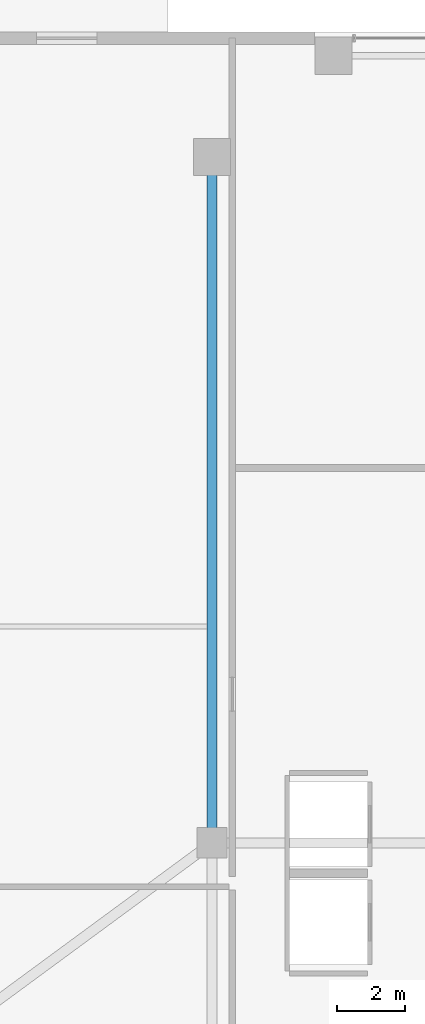
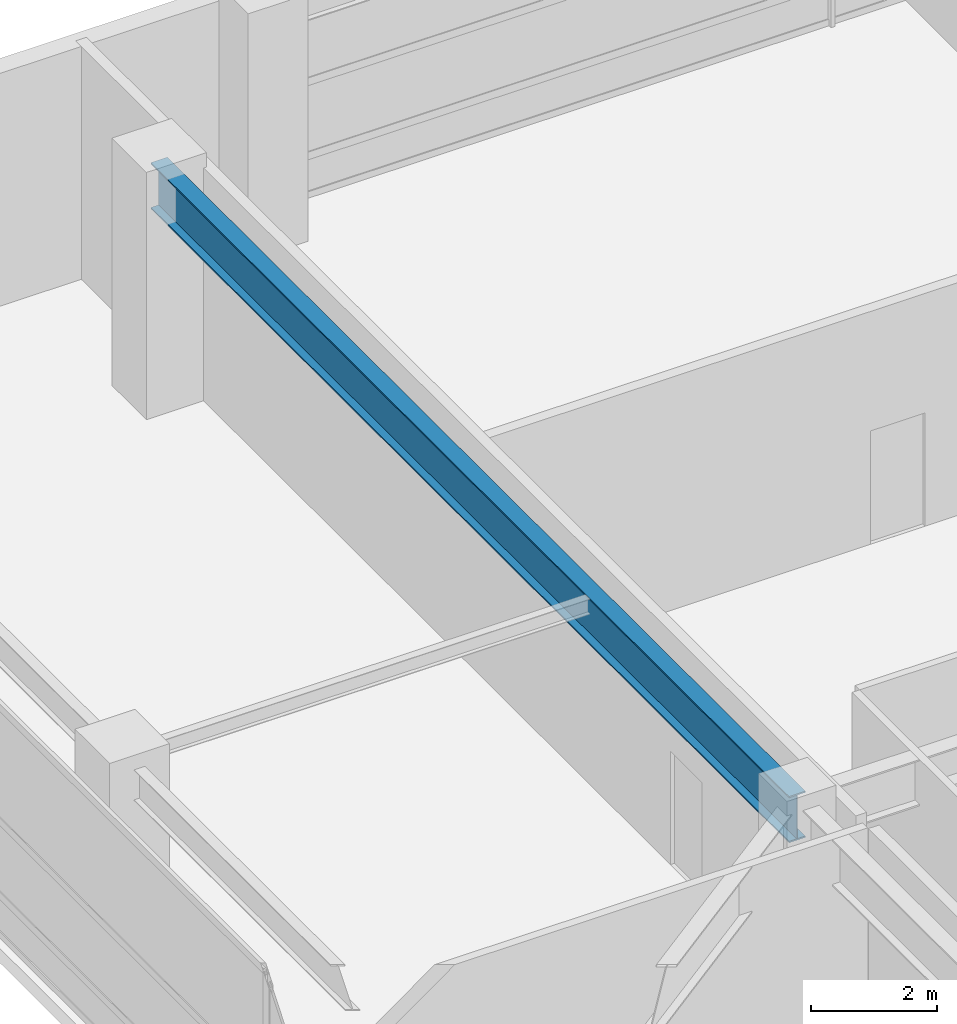
# One storey, part 16 of 37: 1 beam.
"""IFC4 building model written with IfcOpenShell, lengths in metres."""

import ifcopenshell
import ifcopenshell.guid

model = None  # the IFC model being written
_history = None  # IfcOwnerHistory: only IFC2X3 demands one
_inside = {}  # id of a spatial element -> (the spatial element, [elements in it])
_under = {}  # id of a project, library or spatial element -> (it, [spatial elements below it])
_declared = {}  # id of a project -> (the project, [libraries it declares])
_typed = {}  # id of a type object -> (the type object, [elements of that type])
_made_of = {}  # id of a material, layer set ... -> (it, [elements and type objects made of it])


def new_model(schema):
    """Start an empty IFC model of exactly this schema.

    Asked for "IFC4X3", IfcOpenShell would pick the latest addendum, in which some entities
    have other attributes; the version numbers below select the first issue.
    IFC2X3 requires an IfcOwnerHistory on every rooted entity: one is made here for all.
    """
    global model, _history
    if schema == "IFC4X3":
        model = ifcopenshell.file(schema_version=(4, 3, 0, 0))
    else:
        model = ifcopenshell.file(schema=schema)
    _inside.clear()
    _under.clear()
    _declared.clear()
    _typed.clear()
    _made_of.clear()
    _history = None
    if model.schema == "IFC2X3":
        org = make("IfcOrganization", Name="unknown")
        user = make(
            "IfcPersonAndOrganization",
            ThePerson=make("IfcPerson", FamilyName="unknown"),
            TheOrganization=org,
        )
        app = make(
            "IfcApplication",
            ApplicationDeveloper=org,
            Version="unknown",
            ApplicationFullName="unknown",
            ApplicationIdentifier="unknown",
        )
        _history = make(
            "IfcOwnerHistory",
            OwningUser=user,
            OwningApplication=app,
            ChangeAction="ADDED",
            CreationDate=0,
        )
    return model


def make(cls, **values):
    """One entity of the class cls with the attributes given. An attribute that is None is left unset."""
    return model.create_entity(
        cls, **{name: value for name, value in values.items() if value is not None}
    )


def rooted(cls, **values):
    """An entity with a GlobalId (a new one), such as an element, a storey or a relation."""
    return make(cls, GlobalId=ifcopenshell.guid.new(), OwnerHistory=_history, **values)


def si_unit(unit_type, name, prefix=None):
    """IfcSIUnit, for example si_unit("LENGTHUNIT", "METRE", prefix="MILLI")."""
    return make("IfcSIUnit", UnitType=unit_type, Prefix=prefix, Name=name)


def assignment(units):
    """IfcUnitAssignment: the units of a project."""
    return None if units is None else make("IfcUnitAssignment", Units=units)


def point(xyz):
    """IfcCartesianPoint."""
    return None if xyz is None else make("IfcCartesianPoint", Coordinates=xyz)


def direction(xyz):
    """IfcDirection."""
    return None if xyz is None else make("IfcDirection", DirectionRatios=xyz)


def frame(location, z_axis=None, x_axis=None):
    """IfcAxis2Placement3D, a coordinate frame: its origin and axes. An axis left out is left unset."""
    return make(
        "IfcAxis2Placement3D",
        Location=point(location),
        Axis=direction(z_axis),
        RefDirection=direction(x_axis),
    )


def frame_2d(location, x_axis=None):
    """IfcAxis2Placement2D, a coordinate frame in the plane: its origin and x axis."""
    return make(
        "IfcAxis2Placement2D", Location=point(location), RefDirection=direction(x_axis)
    )


def origin():
    """The frame at (0, 0, 0) with its axes left unset."""
    return frame((0.0, 0.0, 0.0))


def origin_2d():
    """The frame at (0, 0) in the plane with its x axis left unset."""
    return frame_2d((0.0, 0.0))


def place(relative_to, where):
    """IfcLocalPlacement: puts the frame where relative to a parent placement (None: the world)."""
    return make(
        "IfcLocalPlacement", PlacementRelTo=relative_to, RelativePlacement=where
    )


def context(
    kind, dimensions, precision=None, world=None, true_north=None, identifier=None
):
    """IfcGeometricRepresentationContext, for example the 3D "Model" context."""
    return make(
        "IfcGeometricRepresentationContext",
        ContextIdentifier=identifier,
        ContextType=kind,
        CoordinateSpaceDimension=dimensions,
        Precision=precision,
        WorldCoordinateSystem=world,
        TrueNorth=true_north,
    )


def subcontext(parent, identifier, kind, view, scale=None):
    """IfcGeometricRepresentationSubContext, for example "Body" below "Model"."""
    return make(
        "IfcGeometricRepresentationSubContext",
        ContextIdentifier=identifier,
        ContextType=kind,
        ParentContext=parent,
        TargetScale=scale,
        TargetView=view,
    )


def project(units=None, contexts=None):
    """IfcProject with its units and contexts."""
    return rooted(
        "IfcProject",
        Name="project",
        RepresentationContexts=contexts,
        UnitsInContext=assignment(units),
    )


def spatial(cls, under=None, at=None, **own):
    """A site, building, storey or space (cls), placed at a placement, below another one or the project."""
    s = rooted(cls, ObjectPlacement=at, **own)
    if under is not None:
        _under.setdefault(under.id(), (under, []))[1].append(s)
    return s


def profile(cls, at=None, kind="AREA", **sizes):
    """A parametric profile (cls). Its sizes go by their IFC names, for example OverallWidth=200.0."""
    return make(cls, ProfileType=kind, Position=at, **sizes)


def i_section(**sizes):
    """IfcIShapeProfileDef."""
    return profile("IfcIShapeProfileDef", **sizes)


def extrude(swept, where, along, depth):
    """IfcExtrudedAreaSolid: the profile swept, set in the frame where, extruded along a direction by depth."""
    return make(
        "IfcExtrudedAreaSolid",
        SweptArea=swept,
        Position=where,
        ExtrudedDirection=direction(along),
        Depth=depth,
    )


def shape(context_of_items, identifier, shape_type, items):
    """IfcShapeRepresentation: the items that make up one representation, for example the "Body"."""
    return make(
        "IfcShapeRepresentation",
        ContextOfItems=context_of_items,
        RepresentationIdentifier=identifier,
        RepresentationType=shape_type,
        Items=items,
    )


def source(mapping_origin, context_of_items, identifier, shape_type, items):
    """IfcRepresentationMap: a shape defined once, which mapped items show again and again."""
    return make(
        "IfcRepresentationMap",
        MappingOrigin=mapping_origin,
        MappedRepresentation=shape(context_of_items, identifier, shape_type, items),
    )


def transform(
    local_origin,
    x_axis=None,
    y_axis=None,
    z_axis=None,
    scale=None,
    scale2=None,
    scale3=None,
    uniform=True,
):
    """IfcCartesianTransformationOperator3D, or its non-uniform kind. x_axis, y_axis, z_axis: its Axis1, 2, 3."""
    if uniform:
        return make(
            "IfcCartesianTransformationOperator3D",
            Axis1=direction(x_axis),
            Axis2=direction(y_axis),
            LocalOrigin=point(local_origin),
            Scale=scale,
            Axis3=direction(z_axis),
        )
    return make(
        "IfcCartesianTransformationOperator3DnonUniform",
        Axis1=direction(x_axis),
        Axis2=direction(y_axis),
        LocalOrigin=point(local_origin),
        Scale=scale,
        Axis3=direction(z_axis),
        Scale2=scale2,
        Scale3=scale3,
    )


def mapped(mapping_source, mapping_target):
    """IfcMappedItem: shows the shape of a source again, moved by a transform."""
    return make(
        "IfcMappedItem", MappingSource=mapping_source, MappingTarget=mapping_target
    )


def material(Name=None, Category=None):
    """IfcMaterial."""
    return make("IfcMaterial", Name=Name, Category=Category)


def material_profile(
    of_material, cross_section, Name=None, Category=None, Priority=None
):
    """IfcMaterialProfile: a cross section and its material."""
    return make(
        "IfcMaterialProfile",
        Name=Name,
        Material=of_material,
        Profile=cross_section,
        Priority=Priority,
        Category=Category,
    )


def profile_set(profiles, Name=None, composite=None):
    """IfcMaterialProfileSet."""
    return make(
        "IfcMaterialProfileSet",
        Name=Name,
        MaterialProfiles=profiles,
        CompositeProfile=composite,
    )


def made_of(thing, what):
    """Note that an element or type object is made of a material, layer set ...; save() writes the relation."""
    if what is not None:
        _made_of.setdefault(what.id(), (what, []))[1].append(thing)
    return thing


def type_object(cls, material=None, **own):
    """A type object (cls), such as IfcWallType, which elements share."""
    return made_of(rooted(cls, **own), material)


def element(
    cls,
    number,
    at=None,
    inside=None,
    cuts=None,
    type_object=None,
    material=None,
    context=None,
    identifier="Body",
    shape_type=None,
    held_by="IfcProductDefinitionShape",
    body=None,
    shapes=None,
    **own,
):
    """One element of the class cls, such as IfcWall. Its Tag is "e" and its number.

    at: its placement. inside: the storey or other place that contains it. cuts: it is an
    opening in that element (IfcRelVoidsElement). A single representation is given by context,
    identifier, shape_type and body (its items); several are given by shapes. held_by: the class
    of the entity that holds the representations. save() writes the other relations.
    """
    e = rooted(cls, Tag="e%d" % number, ObjectPlacement=at, **own)
    if body is not None:
        shapes = [shape(context, identifier, shape_type, body)]
    if shapes is not None:
        e.Representation = make(held_by, Representations=shapes)
    if inside is not None:
        _inside.setdefault(inside.id(), (inside, []))[1].append(e)
    if cuts is not None:
        rooted(
            "IfcRelVoidsElement", RelatingBuildingElement=cuts, RelatedOpeningElement=e
        )
    if type_object is not None:
        _typed.setdefault(type_object.id(), (type_object, []))[1].append(e)
    return made_of(e, material)


def aggregate(whole, parts):
    """IfcRelAggregates: a whole, such as a stair, and the parts it consists of."""
    return rooted("IfcRelAggregates", RelatingObject=whole, RelatedObjects=parts)


def save(model, path):
    """Write the relations noted so far, then the file.

    IfcRelAggregates (storeys below a building ...), IfcRelContainedInSpatialStructure (elements
    in a storey), IfcRelDefinesByType, IfcRelAssociatesMaterial and IfcRelDeclares: one each for
    every whole, place, type object, material and project.
    """
    for whole, parts in _under.values():
        aggregate(whole, parts)
    for where, things in _inside.values():
        rooted(
            "IfcRelContainedInSpatialStructure",
            RelatedElements=things,
            RelatingStructure=where,
        )
    for kind, things in _typed.values():
        rooted("IfcRelDefinesByType", RelatedObjects=things, RelatingType=kind)
    for what, things in _made_of.values():
        rooted("IfcRelAssociatesMaterial", RelatedObjects=things, RelatingMaterial=what)
    for by, libraries in _declared.values():
        rooted("IfcRelDeclares", RelatingContext=by, RelatedDefinitions=libraries)
    model.write(path)


model = new_model("IFC4")

# Units and contexts
model_context = context("Model", 3, precision=1e-05, world=origin(), true_north=direction((0.0, 1.0)))
body_context = subcontext(model_context, "Body", "Model", "MODEL_VIEW")
ifc_project = project(units=[si_unit("LENGTHUNIT", "METRE"), si_unit("AREAUNIT", "SQUARE_METRE"), si_unit("VOLUMEUNIT", "CUBIC_METRE"), si_unit("PLANEANGLEUNIT", "RADIAN"), si_unit("MASSUNIT", "GRAM", prefix="KILO"), si_unit("THERMODYNAMICTEMPERATUREUNIT", "KELVIN"), si_unit("POWERUNIT", "WATT")], contexts=[model_context])

# Site, building, storey
site_placement = place(None, origin())
site = spatial("IfcSite", under=ifc_project, at=site_placement, CompositionType="ELEMENT")
building_placement = place(site_placement, origin())
building = spatial("IfcBuilding", under=site, at=building_placement, Name="Yuzanri Waterfront Tower", CompositionType="ELEMENT")
storey_placement = place(building_placement, frame((0.0, 0.0, 5.39990234375)))
storey = spatial("IfcBuildingStorey", under=building, at=storey_placement, Name="L02", CompositionType="ELEMENT", Elevation=5.39990234375)

# Beam
ifc_material = material(Name="Steel Q355B", Category="steel")
ifc_material_profile = material_profile(ifc_material, i_section(OverallWidth=0.300048828125, OverallDepth=0.89990234375, WebThickness=0.01611328125, FlangeThickness=0.028076171875, at=origin_2d()), Name="HN 900x300x16x28")
ifc_profile_set = profile_set([ifc_material_profile], Name="Steel Q355B")
beam_type = type_object("IfcBeamType", Name="Primary Podium Girder Q355B HN 900x300", PredefinedType="BEAM", material=ifc_profile_set)
shared_shape = source(origin(), body_context, "Body", "SweptSolid", [
    extrude(i_section(OverallWidth=0.300048828125, OverallDepth=0.89990234375, WebThickness=0.01611328125, FlangeThickness=0.028076171875, at=origin_2d()), origin(), (0.0, 0.0, 1.0), 20.300048828125),
])
beam_placement = place(storey_placement, frame((11.89990234375, 25.800048828125, 4.070068359375), z_axis=(0.0, 1.0, 0.0), x_axis=(-1.0, 0.0, 0.0)))
element("IfcBeam", 1, at=beam_placement, inside=storey, type_object=beam_type, Name="L02 Podium Spine Girder N", PredefinedType="BEAM", context=body_context, shape_type="MappedRepresentation", body=[
    mapped(shared_shape, transform((0.0, 0.0, 0.0), scale=1.0)),
])

save(model, "model.ifc")
